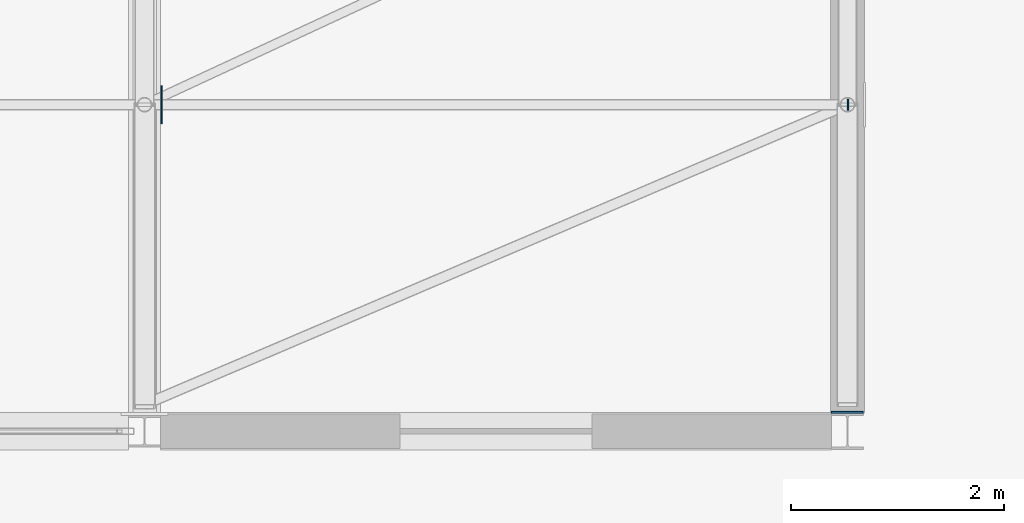
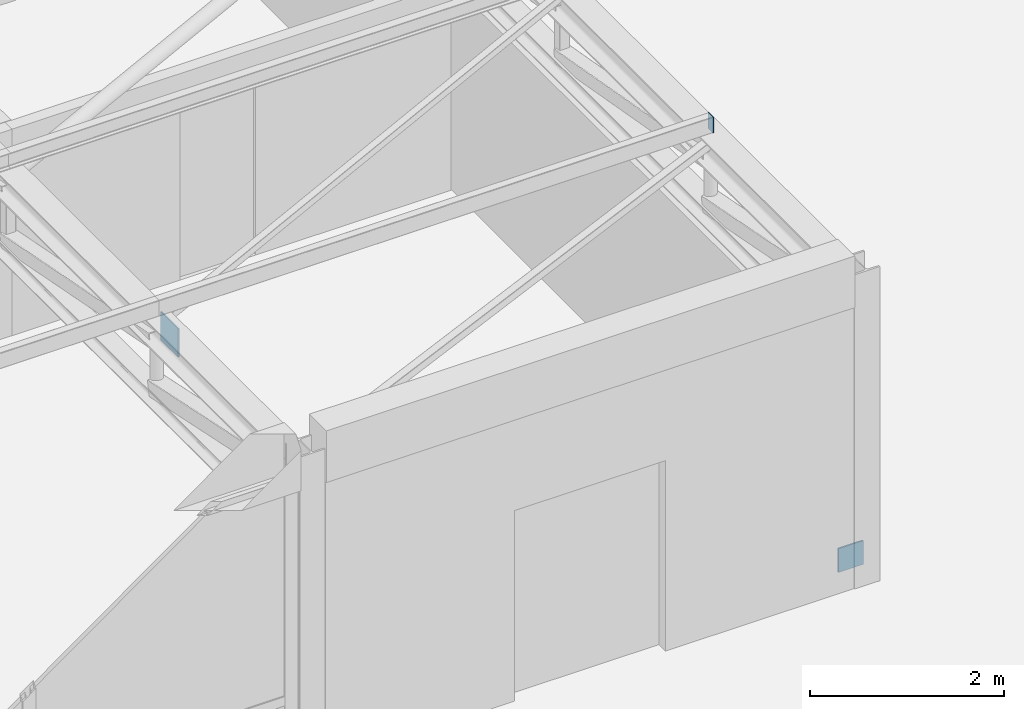
# One storey, part 57 of 92: 3 plates.
"""IFC4 building model written with IfcOpenShell, lengths in metres."""

from ifc_helpers import new_model, si_unit, direction, frame, origin, origin_2d, place, context, subcontext, project, spatial, rectangle, extrude, material, layer, layer_set, type_object, element, save


model = new_model("IFC4")

# Units and contexts
model_context = context("Model", 3, precision=1e-05, world=origin(), true_north=direction((0.0, 1.0)))
body_context = subcontext(model_context, "Body", "Model", "MODEL_VIEW")
ifc_project = project(units=[si_unit("LENGTHUNIT", "METRE"), si_unit("AREAUNIT", "SQUARE_METRE"), si_unit("VOLUMEUNIT", "CUBIC_METRE"), si_unit("PLANEANGLEUNIT", "RADIAN"), si_unit("MASSUNIT", "GRAM", prefix="KILO")], contexts=[model_context])

# Site, building, storey
site_placement = place(None, origin())
site = spatial("IfcSite", under=ifc_project, at=site_placement, CompositionType="ELEMENT")
building_placement = place(site_placement, origin())
building = spatial("IfcBuilding", under=site, at=building_placement, Name="Kernevlak Ridge Housing Community", CompositionType="ELEMENT")
storey_placement = place(building_placement, frame((0.0, 0.0, 4.199951171875)))
storey = spatial("IfcBuildingStorey", under=building, at=storey_placement, Name="L01", CompositionType="ELEMENT", Elevation=4.199951171875)

# Plates
ifc_material = material(Name="Steel S355", Category="steel")
ifc_layer_1 = layer(ifc_material, 0.010009765625, Name="Steel S355")
ifc_layer_set_1 = layer_set([ifc_layer_1], Name="Steel S355")
plate_type_1 = type_object("IfcPlateType", Name="EP-01", PredefinedType="USERDEFINED", material=ifc_layer_set_1)
plate_1_placement = place(storey_placement, frame((103.804931640625, 52.86669921875, 3.76025390625), z_axis=(0.0, 0.0, 1.0), x_axis=(1.0, 0.0, 0.0)))
element("IfcPlate", 1, at=plate_1_placement, inside=storey, type_object=plate_type_1, Name="Community Hall purlin end cap plate 6.2", ObjectType="STIFFENER_PLATE", PredefinedType="USERDEFINED", context=body_context, shape_type="SweptSolid", body=[
    extrude(rectangle(XDim=0.010009765625, YDim=0.10009765625, at=origin_2d()), origin(), (0.0, 0.0, 1.0), 0.199951171875),
])
ifc_layer_2 = layer(ifc_material, 0.01611328125, Name="Steel S355")
ifc_layer_set_2 = layer_set([ifc_layer_2], Name="Steel S355")
plate_type_2 = type_object("IfcPlateType", Name="GP-01", PredefinedType="USERDEFINED", material=ifc_layer_set_2)
plate_2_placement = place(storey_placement, frame((97.35791015625, 52.86669921875, 3.27001953125), z_axis=(0.0, 0.0, 1.0), x_axis=(1.0, 0.0, 0.0)))
element("IfcPlate", 2, at=plate_2_placement, inside=storey, type_object=plate_type_2, Name="Roof truss 6 node gusset plate 1", ObjectType="GUSSET_PLATE", PredefinedType="USERDEFINED", context=body_context, shape_type="SweptSolid", body=[
    extrude(rectangle(XDim=0.01611328125, YDim=0.360107421875, at=origin_2d()), origin(), (0.0, 0.0, 1.0), 0.360107421875),
])
ifc_layer_3 = layer(ifc_material, 0.01806640625, Name="Steel S355")
ifc_layer_set_3 = layer_set([ifc_layer_3], Name="Steel S355")
plate_type_3 = type_object("IfcPlateType", Name="GP-04", PredefinedType="USERDEFINED", material=ifc_layer_set_3)
plate_3_placement = place(storey_placement, frame((103.800048828125, 49.97900390625, 0.0), z_axis=(0.0, 0.0, 1.0), x_axis=(1.0, 0.0, 0.0)))
element("IfcPlate", 3, at=plate_3_placement, inside=storey, type_object=plate_type_3, Name="Truss column bearing stiffener plate 7.1", ObjectType="STIFFENER_PLATE", PredefinedType="USERDEFINED", context=body_context, shape_type="SweptSolid", body=[
    extrude(rectangle(XDim=0.300048828125, YDim=0.01806640625, at=origin_2d()), origin(), (0.0, 0.0, 1.0), 0.300048828125),
])

save(model, "model.ifc")
